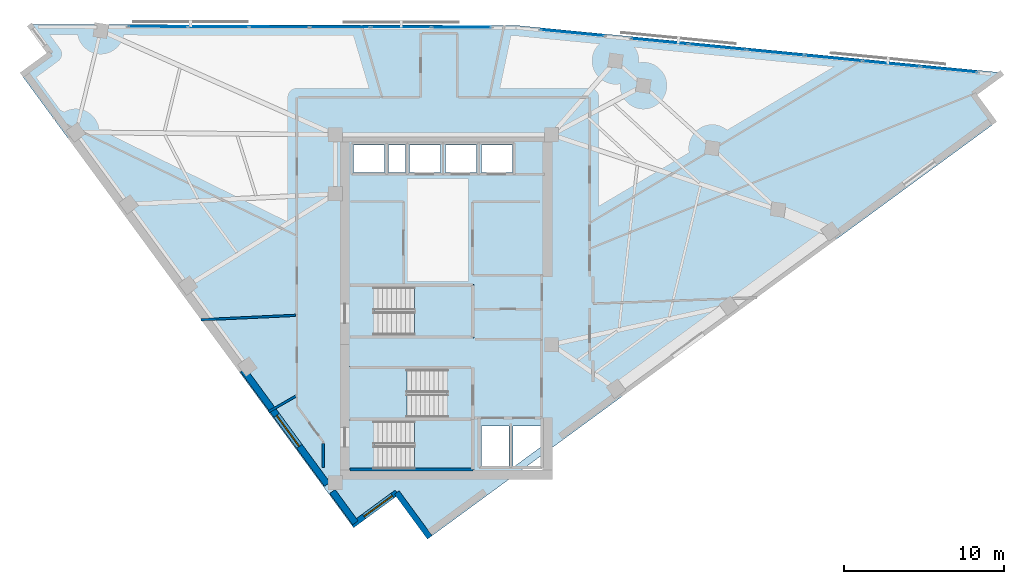
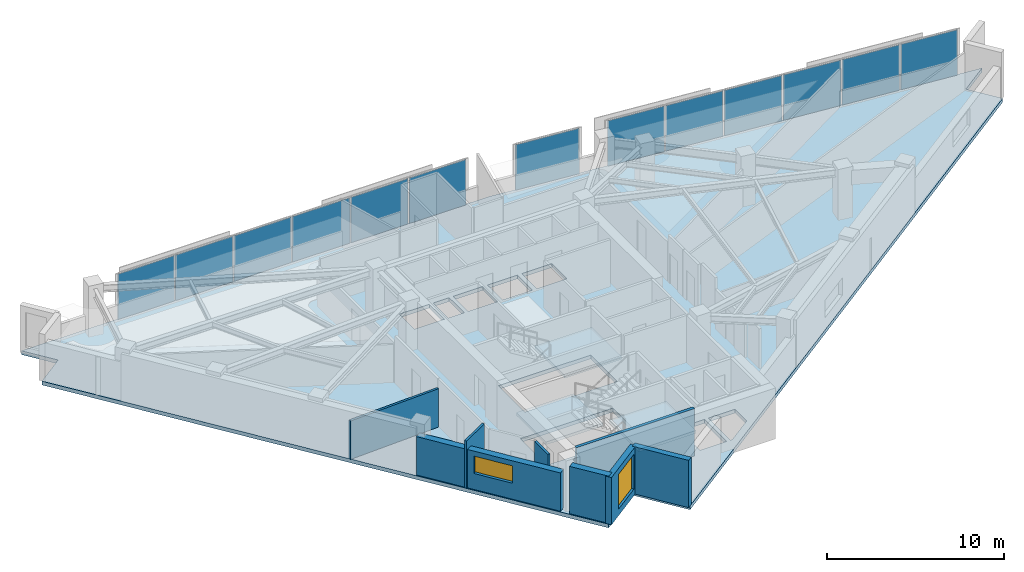
# One storey, part 7 of 13: 13 plates, 8 walls, 4 slabs, 2 windows, 2 openings, 6 elements without a shape of their own.
"""IFC4 building model written with IfcOpenShell, lengths in metres."""

from ifc_helpers import new_model, si_unit, direction, frame, frame_2d, origin, origin_2d, place, context, subcontext, project, spatial, polyline, rectangle, outline, extrude, material, layer, layer_set, type_object, element, fill, aggregate, save


model = new_model("IFC4")

# Units and contexts
model_context = context("Model", 3, precision=1e-05, world=origin(), true_north=direction((0.0, 1.0)))
body_context = subcontext(model_context, "Body", "Model", "MODEL_VIEW")
ifc_project = project(units=[si_unit("LENGTHUNIT", "METRE"), si_unit("AREAUNIT", "SQUARE_METRE"), si_unit("VOLUMEUNIT", "CUBIC_METRE"), si_unit("PLANEANGLEUNIT", "RADIAN"), si_unit("MASSUNIT", "GRAM", prefix="KILO")], contexts=[model_context])

# Site, building, storey
site_placement = place(None, origin())
site = spatial("IfcSite", under=ifc_project, at=site_placement, CompositionType="ELEMENT")
building_placement = place(site_placement, origin())
building = spatial("IfcBuilding", under=site, at=building_placement, Name="Narakoshi Arena Tower", CompositionType="ELEMENT")
storey_placement = place(building_placement, frame((0.0, 0.0, 253.699951171875)))
storey = spatial("IfcBuildingStorey", under=building, at=storey_placement, Name="L69", CompositionType="ELEMENT", Elevation=253.699951171875)

# Curtain wall, plates
ifc_material_1 = material(Name="Anodised bronze aluminium 6063-T6", Category="aluminium")
curtain_wall_type = type_object("IfcCurtainWallType", Name="CW-HYP-HIGH", PredefinedType="NOTDEFINED", material=ifc_material_1)
curtain_wall_1_placement = place(storey_placement, origin())
curtain_wall_1 = element("IfcCurtainWall", 1, at=curtain_wall_1_placement, inside=storey, type_object=curtain_wall_type, Name="L69 Folded Hypotenuse Curtain Wall 1-1", PredefinedType="NOTDEFINED")
ifc_material_2 = material(Name="Bronze-tinted low-E laminated glass", Category="glass")
ifc_layer_1 = layer(ifc_material_2, 0.0439453125)
ifc_layer_set_1 = layer_set([ifc_layer_1], Name="Bronze-tinted low-E laminated glass")
plate_type = type_object("IfcPlateType", Name="PLT-GLZ-44", PredefinedType="CURTAIN_PANEL", material=ifc_layer_set_1)
plate_1_placement = place(storey_placement, frame((110.45458984375, 60.593505859375, 0.065185546875), z_axis=(0.0, 0.0, 1.0), x_axis=(-0.995298860454, 0.096851320996, 0.0)))
plate_1 = element("IfcPlate", 2, at=plate_1_placement, type_object=plate_type, Name="CW-03 panel 1.1", PredefinedType="CURTAIN_PANEL", context=body_context, shape_type="SweptSolid", body=[
    extrude(rectangle(XDim=3.52880859375, YDim=0.0439453125, at=origin_2d()), origin(), (0.0, 0.0, 1.0), 3.1298828125),
])
plate_2_placement = place(storey_placement, frame((106.8427734375, 60.945068359375, 0.065185546875), z_axis=(0.0, 0.0, 1.0), x_axis=(-0.995298860454, 0.096851320996, 0.0)))
plate_2 = element("IfcPlate", 3, at=plate_2_placement, type_object=plate_type, Name="CW-03 panel 2.1", PredefinedType="CURTAIN_PANEL", context=body_context, shape_type="SweptSolid", body=[
    extrude(rectangle(XDim=3.568603515625, YDim=0.0439453125, at=origin_2d()), origin(), (0.0, 0.0, 1.0), 3.1298828125),
])
plate_3_placement = place(storey_placement, frame((103.211181640625, 61.29833984375, 0.065185546875), z_axis=(0.0, 0.0, 1.0), x_axis=(-0.995298860454, 0.096851320996, 0.0)))
plate_3 = element("IfcPlate", 4, at=plate_3_placement, type_object=plate_type, Name="CW-03 panel 3.1", PredefinedType="CURTAIN_PANEL", context=body_context, shape_type="SweptSolid", body=[
    extrude(rectangle(XDim=3.568603515625, YDim=0.0439453125, at=origin_2d()), origin(), (0.0, 0.0, 1.0), 3.1298828125),
])
plate_4_placement = place(storey_placement, frame((99.579833984375, 61.65185546875, 0.065185546875), z_axis=(0.0, 0.0, 1.0), x_axis=(-0.995298860454, 0.096851320996, 0.0)))
plate_4 = element("IfcPlate", 5, at=plate_4_placement, type_object=plate_type, Name="CW-03 panel 4.1", PredefinedType="CURTAIN_PANEL", context=body_context, shape_type="SweptSolid", body=[
    extrude(rectangle(XDim=3.568603515625, YDim=0.0439453125, at=origin_2d()), origin(), (0.0, 0.0, 1.0), 3.1298828125),
])
plate_5_placement = place(storey_placement, frame((95.9482421875, 62.005126953125, 0.065185546875), z_axis=(0.0, 0.0, 1.0), x_axis=(-0.995298860454, 0.096851320996, 0.0)))
plate_5 = element("IfcPlate", 6, at=plate_5_placement, type_object=plate_type, Name="CW-03 panel 5.1", PredefinedType="CURTAIN_PANEL", context=body_context, shape_type="SweptSolid", body=[
    extrude(rectangle(XDim=3.568603515625, YDim=0.0439453125, at=origin_2d()), origin(), (0.0, 0.0, 1.0), 3.1298828125),
])
plate_6_placement = place(storey_placement, frame((92.33642578125, 62.356689453125, 0.065185546875), z_axis=(0.0, 0.0, 1.0), x_axis=(-0.995298860454, 0.096851320996, 0.0)))
plate_6 = element("IfcPlate", 7, at=plate_6_placement, type_object=plate_type, Name="CW-03 panel 6.1", PredefinedType="CURTAIN_PANEL", context=body_context, shape_type="SweptSolid", body=[
    extrude(rectangle(XDim=3.52880859375, YDim=0.0439453125, at=origin_2d()), origin(), (0.0, 0.0, 1.0), 3.1298828125),
])
aggregate(curtain_wall_1, [plate_1, plate_2, plate_3, plate_4, plate_5, plate_6])

# Curtain wall, plate
curtain_wall_2_placement = place(storey_placement, origin())
curtain_wall_2 = element("IfcCurtainWall", 8, at=curtain_wall_2_placement, inside=storey, type_object=curtain_wall_type, Name="L69 Folded Hypotenuse Curtain Wall 1-2", PredefinedType="NOTDEFINED")
plate_7_placement = place(storey_placement, frame((86.862060546875, 62.889404296875, 0.065185546875), z_axis=(0.0, 0.0, 1.0), x_axis=(-0.995299683896, 0.096842858471, 0.0)))
plate_7 = element("IfcPlate", 9, at=plate_7_placement, type_object=plate_type, Name="CW-03 panel 1.1", PredefinedType="CURTAIN_PANEL", context=body_context, shape_type="SweptSolid", body=[
    extrude(rectangle(XDim=3.9560546875, YDim=0.0439453125, at=origin_2d()), origin(), (0.0, 0.0, 1.0), 3.1298828125),
])
aggregate(curtain_wall_2, [plate_7])

# Curtain wall, plates
curtain_wall_3_placement = place(storey_placement, origin())
curtain_wall_3 = element("IfcCurtainWall", 10, at=curtain_wall_3_placement, inside=storey, type_object=curtain_wall_type, Name="L69 Folded Hypotenuse Curtain Wall 2-1", PredefinedType="NOTDEFINED")
plate_8_placement = place(storey_placement, frame((79.907470703125, 63.239501953125, 0.065185546875), z_axis=(0.0, 0.0, 1.0), x_axis=(-0.999998343986, 0.001819896899, 0.0)))
plate_8 = element("IfcPlate", 11, at=plate_8_placement, type_object=plate_type, Name="CW-03 panel 1.1", PredefinedType="CURTAIN_PANEL", context=body_context, shape_type="SweptSolid", body=[
    extrude(rectangle(XDim=3.689697265625, YDim=0.0439453125, at=origin_2d()), origin(), (0.0, 0.0, 1.0), 3.1298828125),
])
plate_9_placement = place(storey_placement, frame((76.11767578125, 63.246337890625, 0.065185546875), z_axis=(0.0, 0.0, 1.0), x_axis=(-0.999998343986, 0.001819896899, 0.0)))
plate_9 = element("IfcPlate", 12, at=plate_9_placement, type_object=plate_type, Name="CW-03 panel 2.1", PredefinedType="CURTAIN_PANEL", context=body_context, shape_type="SweptSolid", body=[
    extrude(rectangle(XDim=3.729736328125, YDim=0.0439453125, at=origin_2d()), origin(), (0.0, 0.0, 1.0), 3.1298828125),
])
plate_10_placement = place(storey_placement, frame((72.307861328125, 63.25341796875, 0.065185546875), z_axis=(0.0, 0.0, 1.0), x_axis=(-0.999998343986, 0.001819896899, 0.0)))
plate_10 = element("IfcPlate", 13, at=plate_10_placement, type_object=plate_type, Name="CW-03 panel 3.1", PredefinedType="CURTAIN_PANEL", context=body_context, shape_type="SweptSolid", body=[
    extrude(rectangle(XDim=3.729736328125, YDim=0.0439453125, at=origin_2d()), origin(), (0.0, 0.0, 1.0), 3.1298828125),
])
plate_11_placement = place(storey_placement, frame((68.498291015625, 63.26025390625, 0.065185546875), z_axis=(0.0, 0.0, 1.0), x_axis=(-0.999998343986, 0.001819896899, 0.0)))
plate_11 = element("IfcPlate", 14, at=plate_11_placement, type_object=plate_type, Name="CW-03 panel 4.1", PredefinedType="CURTAIN_PANEL", context=body_context, shape_type="SweptSolid", body=[
    extrude(rectangle(XDim=3.729736328125, YDim=0.0439453125, at=origin_2d()), origin(), (0.0, 0.0, 1.0), 3.1298828125),
])
plate_12_placement = place(storey_placement, frame((64.6884765625, 63.26708984375, 0.065185546875), z_axis=(0.0, 0.0, 1.0), x_axis=(-0.999998343986, 0.001819896899, 0.0)))
plate_12 = element("IfcPlate", 15, at=plate_12_placement, type_object=plate_type, Name="CW-03 panel 5.1", PredefinedType="CURTAIN_PANEL", context=body_context, shape_type="SweptSolid", body=[
    extrude(rectangle(XDim=3.729736328125, YDim=0.0439453125, at=origin_2d()), origin(), (0.0, 0.0, 1.0), 3.1298828125),
])
plate_13_placement = place(storey_placement, frame((60.898681640625, 63.274169921875, 0.065185546875), z_axis=(0.0, 0.0, 1.0), x_axis=(-0.999998343986, 0.001819896899, 0.0)))
plate_13 = element("IfcPlate", 16, at=plate_13_placement, type_object=plate_type, Name="CW-03 panel 6.1", PredefinedType="CURTAIN_PANEL", context=body_context, shape_type="SweptSolid", body=[
    extrude(rectangle(XDim=3.689697265625, YDim=0.0439453125, at=origin_2d()), origin(), (0.0, 0.0, 1.0), 3.1298828125),
])
aggregate(curtain_wall_3, [plate_8, plate_9, plate_10, plate_11, plate_12, plate_13])

# Stair, slab
ifc_material_3 = material(Name="Concrete C45/55", Category="concrete")
stair_type = type_object("IfcStairType", Name="STR-CORE-352", PredefinedType="TWO_STRAIGHT_RUN_STAIR", material=ifc_material_3)
stair_1_placement = place(storey_placement, origin())
stair_1 = element("IfcStair", 17, at=stair_1_placement, inside=storey, type_object=stair_type, Name="L69 Core Escape Stair ST1", PredefinedType="TWO_STRAIGHT_RUN_STAIR")
ifc_layer_2 = layer(ifc_material_3, 0.18994140625)
ifc_layer_set_2 = layer_set([ifc_layer_2], Name="Concrete C45/55")
slab_type_1 = type_object("IfcSlabType", Name="SLB-LND-190", PredefinedType="LANDING", material=ifc_layer_set_2)
slab_1_placement = place(storey_placement, frame((0.0, 0.0, 1.570068359375)))
slab_1 = element("IfcSlab", 18, at=slab_1_placement, type_object=slab_type_1, Name="ST1 landing 1", PredefinedType="LANDING", context=body_context, shape_type="SweptSolid", body=[
    extrude(outline(polyline([(76.965087890625, 35.3701171875), (80.679931640625, 35.3701171875), (80.679931640625, 38.72998046875), (76.965087890625, 38.72998046875), (76.965087890625, 35.3701171875)])), origin(), (0.0, 0.0, 1.0), 0.18994140625),
])
aggregate(stair_1, [slab_1])

stair_2_placement = place(storey_placement, origin())
stair_2 = element("IfcStair", 19, at=stair_2_placement, inside=storey, type_object=stair_type, Name="L69 Core Escape Stair ST2", PredefinedType="TWO_STRAIGHT_RUN_STAIR")
slab_2_placement = place(storey_placement, frame((0.0, 0.0, 1.570068359375)))
slab_2 = element("IfcSlab", 20, at=slab_2_placement, type_object=slab_type_1, Name="ST2 landing 1", PredefinedType="LANDING", context=body_context, shape_type="SweptSolid", body=[
    extrude(outline(polyline([(72.77001953125, 38.6201171875), (76.485107421875, 38.6201171875), (76.485107421875, 41.97998046875), (72.77001953125, 41.97998046875), (72.77001953125, 38.6201171875)])), origin(), (0.0, 0.0, 1.0), 0.18994140625),
])
aggregate(stair_2, [slab_2])

stair_3_placement = place(storey_placement, origin())
stair_3 = element("IfcStair", 21, at=stair_3_placement, inside=storey, type_object=stair_type, Name="L69 Core Escape Stair ST3", PredefinedType="TWO_STRAIGHT_RUN_STAIR")
slab_3_placement = place(storey_placement, frame((0.0, 0.0, 1.570068359375)))
slab_3 = element("IfcSlab", 22, at=slab_3_placement, type_object=slab_type_1, Name="ST3 landing 1", PredefinedType="LANDING", context=body_context, shape_type="SweptSolid", body=[
    extrude(outline(polyline([(76.965087890625, 43.77001953125), (80.679931640625, 43.77001953125), (80.679931640625, 47.1298828125), (76.965087890625, 47.1298828125), (76.965087890625, 43.77001953125)])), origin(), (0.0, 0.0, 1.0), 0.18994140625),
])
aggregate(stair_3, [slab_3])

# Slab
ifc_material_4 = material(Name="Concrete C50/60", Category="concrete")
ifc_layer_3 = layer(ifc_material_4, 0.260009765625)
ifc_layer_set_3 = layer_set([ifc_layer_3], Name="Concrete C50/60")
slab_type_2 = type_object("IfcSlabType", Name="SLB-SKY-260", PredefinedType="FLOOR", material=ifc_layer_set_3)
slab_4_placement = place(storey_placement, frame((0.0, 0.0, -0.260009765625)))
element("IfcSlab", 23, at=slab_4_placement, inside=storey, type_object=slab_type_2, Name="L69 Structural Floor Slab", PredefinedType="FLOOR", context=body_context, shape_type="SweptSolid", body=[
    extrude(outline(polyline([(77.922607421875, 31.273193359375), (113.306640625, 57.218017578125), (111.96533203125, 59.047607421875), (113.794921875, 60.38916015625), (83.33251953125, 63.353271484375), (52.84521484375, 63.40869140625), (54.1865234375, 61.5791015625), (52.357177734375, 60.23779296875), (73.044189453125, 32.024169921875), (75.858642578125, 34.087890625), (77.922607421875, 31.273193359375)]), holes=[polyline([(80.5, 35.550048828125), (74.47998046875, 35.550048828125), (74.47998046875, 38.550048828125), (80.5, 38.550048828125), (80.5, 35.550048828125)]), polyline([(82.89990234375, 35.75), (81.14990234375, 35.75), (81.14990234375, 38.25), (82.89990234375, 38.25), (82.89990234375, 35.75)]), polyline([(84.89990234375, 36.947509765625), (83.266845703125, 35.75), (83.14990234375, 35.75), (83.14990234375, 38.25), (84.89990234375, 38.25), (84.89990234375, 36.947509765625)]), polyline([(72.949951171875, 38.800048828125), (72.949951171875, 41.800048828125), (78.969970703125, 41.800048828125), (78.969970703125, 38.800048828125), (72.949951171875, 38.800048828125)]), polyline([(74.47998046875, 43.949951171875), (74.47998046875, 46.949951171875), (80.5, 46.949951171875), (80.5, 43.949951171875), (74.47998046875, 43.949951171875)]), polyline([(75.10009765625, 54.14990234375), (73.14990234375, 54.14990234375), (73.14990234375, 55.85009765625), (75.10009765625, 55.85009765625), (75.10009765625, 54.14990234375)]), polyline([(76.39990234375, 54.14990234375), (75.35009765625, 54.14990234375), (75.35009765625, 55.85009765625), (76.39990234375, 55.85009765625), (76.39990234375, 54.14990234375)]), polyline([(78.60009765625, 54.14990234375), (76.64990234375, 54.14990234375), (76.64990234375, 55.85009765625), (78.60009765625, 55.85009765625), (78.60009765625, 54.14990234375)]), polyline([(78.89990234375, 54.14990234375), (78.89990234375, 55.85009765625), (80.85009765625, 55.85009765625), (80.85009765625, 54.14990234375), (78.89990234375, 54.14990234375)]), polyline([(81.14990234375, 54.14990234375), (81.14990234375, 55.85009765625), (83.10009765625, 55.85009765625), (83.10009765625, 54.14990234375), (81.14990234375, 54.14990234375)])]), origin(), (0.0, 0.0, 1.0), 0.260009765625),
])

# Wall, opening, window
ifc_material_5 = material(Name="Precast concrete C45/55", Category="concrete")
ifc_layer_4 = layer(ifc_material_5, 0.419921875)
ifc_layer_set_4 = layer_set([ifc_layer_4], Name="Precast concrete C45/55")
wall_type_1 = type_object("IfcWallType", Name="WL-POD-420", PredefinedType="SOLIDWALL", material=ifc_layer_set_4)
wall_1_placement = place(storey_placement, frame((66.232421875, 41.779296875, 0.0), z_axis=(0.0, 0.0, 1.0), x_axis=(0.591309008949, -0.806445073105, 0.0)))
wall_1 = element("IfcWall", 24, at=wall_1_placement, inside=storey, type_object=wall_type_1, Name="L69 Architectural Concrete Facade Wall LEGB-3", PredefinedType="SOLIDWALL", context=body_context, shape_type="SweptSolid", body=[
    extrude(rectangle(XDim=8.908447265625, YDim=0.419921875, at=frame_2d((4.4541015625, 0.0))), origin(), (0.0, 0.0, 1.0), 2.64501953125),
])
opening_1_placement = place(wall_1_placement, frame((3.549072265625, 0.0, 1.10009765625)))
opening_1 = element("IfcOpeningElement", 25, at=opening_1_placement, cuts=wall_1, Name="Opening WN-04", PredefinedType="OPENING", context=body_context, shape_type="SweptSolid", body=[
    extrude(rectangle(XDim=2.39990234375, YDim=1.199951171875, at=frame_2d((1.199951171875, 0.60009765625))), frame((0.0, 0.219970703125, 0.0), z_axis=(0.0, -1.0, 0.0), x_axis=(1.0, 0.0, 0.0)), (0.0, 0.0, 1.0), 0.43994140625),
])
window_type_1 = type_object("IfcWindowType", Name="WIN-SLT-24x12", PartitioningType="SINGLE_PANEL", PredefinedType="WINDOW", material=ifc_material_2)
window_1_placement = place(opening_1_placement, origin())
window_1 = element("IfcWindow", 26, at=window_1_placement, inside=storey, type_object=window_type_1, Name="L69 LEGB3 Horizontal Slot Window 1", OverallHeight=1.199951171875, OverallWidth=2.39990234375, PartitioningType="SINGLE_PANEL", PredefinedType="WINDOW", context=body_context, shape_type="SweptSolid", body=[
    extrude(rectangle(XDim=2.39990234375, YDim=1.199951171875, at=frame_2d((1.199951171875, 0.60009765625))), frame((0.0, 0.030029296875, 0.0), z_axis=(0.0, -1.0, 0.0), x_axis=(1.0, 0.0, 0.0)), (0.0, 0.0, 1.0), 0.06005859375),
])
fill(opening_1, window_1)

# Wall
wall_2_placement = place(storey_placement, frame((71.826416015625, 34.14990234375, 0.0), z_axis=(0.0, 0.0, 1.0), x_axis=(0.591315835946, -0.806440067308, 0.0)))
element("IfcWall", 27, at=wall_2_placement, inside=storey, type_object=wall_type_1, Name="L69 Architectural Concrete Facade Wall LEGB-4", PredefinedType="SOLIDWALL", context=body_context, shape_type="SweptSolid", body=[
    extrude(rectangle(XDim=2.434326171875, YDim=0.419921875, at=frame_2d((1.21728515625, 0.0))), origin(), (0.0, 0.0, 1.0), 3.260009765625),
])

# Wall, opening, window
wall_3_placement = place(storey_placement, frame((73.044189453125, 32.024169921875, 0.0), z_axis=(0.0, 0.0, 1.0), x_axis=(0.806433906667, 0.591324237774, 0.0)))
wall_3 = element("IfcWall", 28, at=wall_3_placement, inside=storey, type_object=wall_type_1, Name="L69 Re-Entrant Corner Notch Wall NTA-1", PredefinedType="SOLIDWALL", context=body_context, shape_type="SweptSolid", body=[
    extrude(rectangle(XDim=3.489990234375, YDim=0.360107421875, at=frame_2d((1.7451171875, 0.0))), origin(), (0.0, 0.0, 1.0), 3.260009765625),
])
opening_2_placement = place(wall_3_placement, frame((0.9501953125, 0.0, 0.449951171875)))
opening_2 = element("IfcOpeningElement", 29, at=opening_2_placement, cuts=wall_3, Name="Opening WN-07", PredefinedType="OPENING", context=body_context, shape_type="SweptSolid", body=[
    extrude(rectangle(XDim=2.199951171875, YDim=2.39990234375, at=frame_2d((1.10009765625, 1.199951171875))), frame((0.0, 0.18994140625, 0.0), z_axis=(0.0, -1.0, 0.0), x_axis=(1.0, 0.0, 0.0)), (0.0, 0.0, 1.0), 0.380126953125),
])
window_type_2 = type_object("IfcWindowType", Name="WIN-NTC-22x24", PartitioningType="SINGLE_PANEL", PredefinedType="WINDOW", material=ifc_material_2)
window_2_placement = place(opening_2_placement, origin())
window_2 = element("IfcWindow", 30, at=window_2_placement, inside=storey, type_object=window_type_2, Name="L69 Corner Notch Window NTA", OverallHeight=2.39990234375, OverallWidth=2.199951171875, PartitioningType="SINGLE_PANEL", PredefinedType="WINDOW", context=body_context, shape_type="SweptSolid", body=[
    extrude(rectangle(XDim=2.199951171875, YDim=2.39990234375, at=frame_2d((1.10009765625, 1.199951171875))), frame((0.0, 0.030029296875, 0.0), z_axis=(0.0, -1.0, 0.0), x_axis=(1.0, 0.0, 0.0)), (0.0, 0.0, 1.0), 0.06005859375),
])
fill(opening_2, window_2)

# Walls
wall_4_placement = place(storey_placement, frame((75.858642578125, 34.087890625, 0.0), z_axis=(0.0, 0.0, 1.0), x_axis=(0.591336371625, -0.806425009281, 0.0)))
element("IfcWall", 31, at=wall_4_placement, inside=storey, type_object=wall_type_1, Name="L69 Re-Entrant Corner Notch Wall NTA-2", PredefinedType="SOLIDWALL", context=body_context, shape_type="SweptSolid", body=[
    extrude(rectangle(XDim=3.490234375, YDim=0.360107421875, at=frame_2d((1.7451171875, 0.0))), origin(), (0.0, 0.0, 1.0), 3.260009765625),
])
ifc_layer_5 = layer(ifc_material_4, 0.35009765625)
ifc_layer_set_5 = layer_set([ifc_layer_5], Name="Concrete C50/60")
wall_type_2 = type_object("IfcWallType", Name="WL-SHAFT-350", PredefinedType="SOLIDWALL", material=ifc_layer_set_5)
wall_5_placement = place(storey_placement, frame((72.919921875, 35.52001953125, -0.260009765625), z_axis=(0.0, 0.0, 1.0), x_axis=(1.0, 0.0, 0.0)))
element("IfcWall", 32, at=wall_5_placement, inside=storey, type_object=wall_type_2, Name="L69 Core Wall ST1-S", PredefinedType="SOLIDWALL", context=body_context, shape_type="SweptSolid", body=[
    extrude(rectangle(XDim=7.7001953125, YDim=0.199951171875, at=frame_2d((3.85009765625, 0.0))), origin(), (0.0, 0.0, 1.0), 3.52001953125),
])
ifc_material_6 = material(Name="Moisture-resistant cement-board partition")
ifc_layer_6 = layer(ifc_material_6, 0.14501953125)
ifc_layer_set_6 = layer_set([ifc_layer_6], Name="Moisture-resistant cement-board partition")
wall_type_3 = type_object("IfcWallType", Name="WL-WET-145", PredefinedType="PARTITIONING", material=ifc_layer_set_6)
wall_6_placement = place(storey_placement, frame((69.53955078125, 40.12744140625, 0.0), z_axis=(0.0, 0.0, 1.0), x_axis=(-0.867162264897, -0.498025708513, 0.0)))
element("IfcWall", 33, at=wall_6_placement, inside=storey, type_object=wall_type_3, Name="L69 Inter-Room Partition 01-02", PredefinedType="PARTITIONING", context=body_context, shape_type="SweptSolid", body=[
    extrude(rectangle(XDim=1.9775390625, YDim=0.14501953125, at=frame_2d((0.98876953125, 0.0))), origin(), (0.0, 0.0, 1.0), 3.260009765625),
])
wall_7_placement = place(storey_placement, frame((63.595947265625, 44.909912109375, 0.0), z_axis=(0.0, 0.0, 1.0), x_axis=(0.998909968425, 0.046678420945, 0.0)))
element("IfcWall", 34, at=wall_7_placement, inside=storey, type_object=wall_type_3, Name="L69 Inter-Room Partition 01-09", PredefinedType="PARTITIONING", context=body_context, shape_type="SweptSolid", body=[
    extrude(rectangle(XDim=5.92578125, YDim=0.14501953125, at=frame_2d((2.962890625, 0.0))), origin(), (0.0, 0.0, 1.0), 2.64501953125),
])
wall_8_placement = place(storey_placement, frame((71.25, 37.159912109375, 0.0), z_axis=(0.0, 0.0, 1.0), x_axis=(0.0, -1.0, 0.0)))
element("IfcWall", 35, at=wall_8_placement, inside=storey, type_object=wall_type_3, Name="L69 Room Enclosure Partition 02-1", PredefinedType="PARTITIONING", context=body_context, shape_type="SweptSolid", body=[
    extrude(rectangle(XDim=1.49658203125, YDim=0.14501953125, at=frame_2d((0.748291015625, 0.0))), origin(), (0.0, 0.0, 1.0), 3.260009765625),
])

save(model, "model.ifc")
